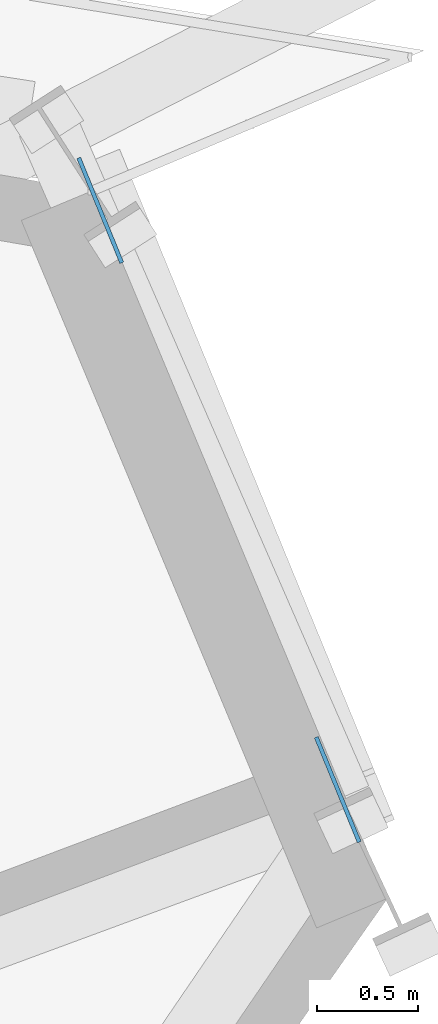
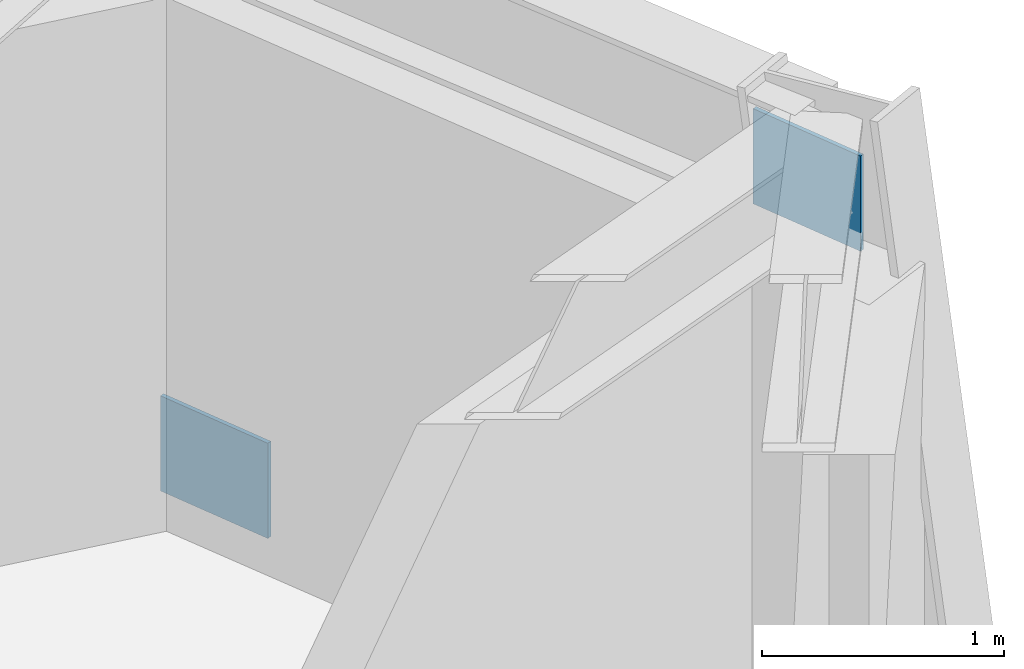
# One storey, part 10 of 16: 2 plates.
"""IFC4 building model written with IfcOpenShell, lengths in metres."""

import ifcopenshell
import ifcopenshell.guid

model = None  # the IFC model being written
_history = None  # IfcOwnerHistory: only IFC2X3 demands one
_inside = {}  # id of a spatial element -> (the spatial element, [elements in it])
_under = {}  # id of a project, library or spatial element -> (it, [spatial elements below it])
_declared = {}  # id of a project -> (the project, [libraries it declares])
_typed = {}  # id of a type object -> (the type object, [elements of that type])
_made_of = {}  # id of a material, layer set ... -> (it, [elements and type objects made of it])


def new_model(schema):
    """Start an empty IFC model of exactly this schema.

    Asked for "IFC4X3", IfcOpenShell would pick the latest addendum, in which some entities
    have other attributes; the version numbers below select the first issue.
    IFC2X3 requires an IfcOwnerHistory on every rooted entity: one is made here for all.
    """
    global model, _history
    if schema == "IFC4X3":
        model = ifcopenshell.file(schema_version=(4, 3, 0, 0))
    else:
        model = ifcopenshell.file(schema=schema)
    _inside.clear()
    _under.clear()
    _declared.clear()
    _typed.clear()
    _made_of.clear()
    _history = None
    if model.schema == "IFC2X3":
        org = make("IfcOrganization", Name="unknown")
        user = make(
            "IfcPersonAndOrganization",
            ThePerson=make("IfcPerson", FamilyName="unknown"),
            TheOrganization=org,
        )
        app = make(
            "IfcApplication",
            ApplicationDeveloper=org,
            Version="unknown",
            ApplicationFullName="unknown",
            ApplicationIdentifier="unknown",
        )
        _history = make(
            "IfcOwnerHistory",
            OwningUser=user,
            OwningApplication=app,
            ChangeAction="ADDED",
            CreationDate=0,
        )
    return model


def make(cls, **values):
    """One entity of the class cls with the attributes given. An attribute that is None is left unset."""
    return model.create_entity(
        cls, **{name: value for name, value in values.items() if value is not None}
    )


def rooted(cls, **values):
    """An entity with a GlobalId (a new one), such as an element, a storey or a relation."""
    return make(cls, GlobalId=ifcopenshell.guid.new(), OwnerHistory=_history, **values)


def si_unit(unit_type, name, prefix=None):
    """IfcSIUnit, for example si_unit("LENGTHUNIT", "METRE", prefix="MILLI")."""
    return make("IfcSIUnit", UnitType=unit_type, Prefix=prefix, Name=name)


def assignment(units):
    """IfcUnitAssignment: the units of a project."""
    return None if units is None else make("IfcUnitAssignment", Units=units)


def point(xyz):
    """IfcCartesianPoint."""
    return None if xyz is None else make("IfcCartesianPoint", Coordinates=xyz)


def direction(xyz):
    """IfcDirection."""
    return None if xyz is None else make("IfcDirection", DirectionRatios=xyz)


def frame(location, z_axis=None, x_axis=None):
    """IfcAxis2Placement3D, a coordinate frame: its origin and axes. An axis left out is left unset."""
    return make(
        "IfcAxis2Placement3D",
        Location=point(location),
        Axis=direction(z_axis),
        RefDirection=direction(x_axis),
    )


def frame_2d(location, x_axis=None):
    """IfcAxis2Placement2D, a coordinate frame in the plane: its origin and x axis."""
    return make(
        "IfcAxis2Placement2D", Location=point(location), RefDirection=direction(x_axis)
    )


def origin():
    """The frame at (0, 0, 0) with its axes left unset."""
    return frame((0.0, 0.0, 0.0))


def origin_2d():
    """The frame at (0, 0) in the plane with its x axis left unset."""
    return frame_2d((0.0, 0.0))


def place(relative_to, where):
    """IfcLocalPlacement: puts the frame where relative to a parent placement (None: the world)."""
    return make(
        "IfcLocalPlacement", PlacementRelTo=relative_to, RelativePlacement=where
    )


def context(
    kind, dimensions, precision=None, world=None, true_north=None, identifier=None
):
    """IfcGeometricRepresentationContext, for example the 3D "Model" context."""
    return make(
        "IfcGeometricRepresentationContext",
        ContextIdentifier=identifier,
        ContextType=kind,
        CoordinateSpaceDimension=dimensions,
        Precision=precision,
        WorldCoordinateSystem=world,
        TrueNorth=true_north,
    )


def subcontext(parent, identifier, kind, view, scale=None):
    """IfcGeometricRepresentationSubContext, for example "Body" below "Model"."""
    return make(
        "IfcGeometricRepresentationSubContext",
        ContextIdentifier=identifier,
        ContextType=kind,
        ParentContext=parent,
        TargetScale=scale,
        TargetView=view,
    )


def project(units=None, contexts=None):
    """IfcProject with its units and contexts."""
    return rooted(
        "IfcProject",
        Name="project",
        RepresentationContexts=contexts,
        UnitsInContext=assignment(units),
    )


def spatial(cls, under=None, at=None, **own):
    """A site, building, storey or space (cls), placed at a placement, below another one or the project."""
    s = rooted(cls, ObjectPlacement=at, **own)
    if under is not None:
        _under.setdefault(under.id(), (under, []))[1].append(s)
    return s


def profile(cls, at=None, kind="AREA", **sizes):
    """A parametric profile (cls). Its sizes go by their IFC names, for example OverallWidth=200.0."""
    return make(cls, ProfileType=kind, Position=at, **sizes)


def rectangle(**sizes):
    """IfcRectangleProfileDef."""
    return profile("IfcRectangleProfileDef", **sizes)


def extrude(swept, where, along, depth):
    """IfcExtrudedAreaSolid: the profile swept, set in the frame where, extruded along a direction by depth."""
    return make(
        "IfcExtrudedAreaSolid",
        SweptArea=swept,
        Position=where,
        ExtrudedDirection=direction(along),
        Depth=depth,
    )


def shape(context_of_items, identifier, shape_type, items):
    """IfcShapeRepresentation: the items that make up one representation, for example the "Body"."""
    return make(
        "IfcShapeRepresentation",
        ContextOfItems=context_of_items,
        RepresentationIdentifier=identifier,
        RepresentationType=shape_type,
        Items=items,
    )


def source(mapping_origin, context_of_items, identifier, shape_type, items):
    """IfcRepresentationMap: a shape defined once, which mapped items show again and again."""
    return make(
        "IfcRepresentationMap",
        MappingOrigin=mapping_origin,
        MappedRepresentation=shape(context_of_items, identifier, shape_type, items),
    )


def transform(
    local_origin,
    x_axis=None,
    y_axis=None,
    z_axis=None,
    scale=None,
    scale2=None,
    scale3=None,
    uniform=True,
):
    """IfcCartesianTransformationOperator3D, or its non-uniform kind. x_axis, y_axis, z_axis: its Axis1, 2, 3."""
    if uniform:
        return make(
            "IfcCartesianTransformationOperator3D",
            Axis1=direction(x_axis),
            Axis2=direction(y_axis),
            LocalOrigin=point(local_origin),
            Scale=scale,
            Axis3=direction(z_axis),
        )
    return make(
        "IfcCartesianTransformationOperator3DnonUniform",
        Axis1=direction(x_axis),
        Axis2=direction(y_axis),
        LocalOrigin=point(local_origin),
        Scale=scale,
        Axis3=direction(z_axis),
        Scale2=scale2,
        Scale3=scale3,
    )


def mapped(mapping_source, mapping_target):
    """IfcMappedItem: shows the shape of a source again, moved by a transform."""
    return make(
        "IfcMappedItem", MappingSource=mapping_source, MappingTarget=mapping_target
    )


def material(Name=None, Category=None):
    """IfcMaterial."""
    return make("IfcMaterial", Name=Name, Category=Category)


def made_of(thing, what):
    """Note that an element or type object is made of a material, layer set ...; save() writes the relation."""
    if what is not None:
        _made_of.setdefault(what.id(), (what, []))[1].append(thing)
    return thing


def type_object(cls, material=None, **own):
    """A type object (cls), such as IfcWallType, which elements share."""
    return made_of(rooted(cls, **own), material)


def element(
    cls,
    number,
    at=None,
    inside=None,
    cuts=None,
    type_object=None,
    material=None,
    context=None,
    identifier="Body",
    shape_type=None,
    held_by="IfcProductDefinitionShape",
    body=None,
    shapes=None,
    **own,
):
    """One element of the class cls, such as IfcWall. Its Tag is "e" and its number.

    at: its placement. inside: the storey or other place that contains it. cuts: it is an
    opening in that element (IfcRelVoidsElement). A single representation is given by context,
    identifier, shape_type and body (its items); several are given by shapes. held_by: the class
    of the entity that holds the representations. save() writes the other relations.
    """
    e = rooted(cls, Tag="e%d" % number, ObjectPlacement=at, **own)
    if body is not None:
        shapes = [shape(context, identifier, shape_type, body)]
    if shapes is not None:
        e.Representation = make(held_by, Representations=shapes)
    if inside is not None:
        _inside.setdefault(inside.id(), (inside, []))[1].append(e)
    if cuts is not None:
        rooted(
            "IfcRelVoidsElement", RelatingBuildingElement=cuts, RelatedOpeningElement=e
        )
    if type_object is not None:
        _typed.setdefault(type_object.id(), (type_object, []))[1].append(e)
    return made_of(e, material)


def aggregate(whole, parts):
    """IfcRelAggregates: a whole, such as a stair, and the parts it consists of."""
    return rooted("IfcRelAggregates", RelatingObject=whole, RelatedObjects=parts)


def save(model, path):
    """Write the relations noted so far, then the file.

    IfcRelAggregates (storeys below a building ...), IfcRelContainedInSpatialStructure (elements
    in a storey), IfcRelDefinesByType, IfcRelAssociatesMaterial and IfcRelDeclares: one each for
    every whole, place, type object, material and project.
    """
    for whole, parts in _under.values():
        aggregate(whole, parts)
    for where, things in _inside.values():
        rooted(
            "IfcRelContainedInSpatialStructure",
            RelatedElements=things,
            RelatingStructure=where,
        )
    for kind, things in _typed.values():
        rooted("IfcRelDefinesByType", RelatedObjects=things, RelatingType=kind)
    for what, things in _made_of.values():
        rooted("IfcRelAssociatesMaterial", RelatedObjects=things, RelatingMaterial=what)
    for by, libraries in _declared.values():
        rooted("IfcRelDeclares", RelatingContext=by, RelatedDefinitions=libraries)
    model.write(path)


model = new_model("IFC4")

# Units and contexts
model_context = context("Model", 3, precision=1e-05, world=origin(), true_north=direction((0.0, 1.0)))
body_context = subcontext(model_context, "Body", "Model", "MODEL_VIEW")
ifc_project = project(units=[si_unit("LENGTHUNIT", "METRE"), si_unit("AREAUNIT", "SQUARE_METRE"), si_unit("VOLUMEUNIT", "CUBIC_METRE"), si_unit("PLANEANGLEUNIT", "RADIAN"), si_unit("MASSUNIT", "GRAM", prefix="KILO")], contexts=[model_context])

# Site, building, storey
site_placement = place(None, origin())
site = spatial("IfcSite", under=ifc_project, at=site_placement, CompositionType="ELEMENT")
building_placement = place(site_placement, origin())
building = spatial("IfcBuilding", under=site, at=building_placement, Name="Olszyna Solenne Hotel", CompositionType="ELEMENT")
storey_placement = place(building_placement, frame((0.0, 0.0, 127.0)))
storey = spatial("IfcBuildingStorey", under=building, at=storey_placement, Name="L33", CompositionType="ELEMENT", Elevation=127.0)

# Plates
ifc_material = material(Name="Steel S355J2", Category="steel")
plate_type = type_object("IfcPlateType", Name="GP-ND2", PredefinedType="USERDEFINED", material=ifc_material)
shared_shape = source(origin(), body_context, "Body", "SweptSolid", [
    extrude(rectangle(XDim=0.56005859375, YDim=0.02001953125, at=origin_2d()), origin(), (0.0, 0.0, 1.0), 0.47998046875),
])
for number, where, z_axis, x_axis, name in (
    (1, (64.74462890625, 39.874755859375, -0.136474609375), (0.0, 0.0, 1.0), (0.379294674192, -0.925275931887, 0.0), "Brace end connection gusset plate GP-ND2 EP-BR-L33-1-1"),
    (2, (65.91845703125, 37.011962890625, 2.63671875), (0.0, 0.0, 1.0), (0.379294674192, -0.925275931887, 0.0), "Brace end connection gusset plate GP-ND2 EP-BR-L33-1-2"),
):
    element("IfcPlate", number, at=place(storey_placement, frame(where, z_axis=z_axis, x_axis=x_axis)), inside=storey, type_object=plate_type, Name=name, ObjectType="GUSSET_PLATE", PredefinedType="USERDEFINED", context=body_context, shape_type="MappedRepresentation", body=[
        mapped(shared_shape, transform((0.0, 0.0, 0.0), x_axis=(1.0, 0.0, 0.0), y_axis=(0.0, 1.0, 0.0), z_axis=(0.0, 0.0, 1.0), scale=1.0)),
    ])

save(model, "model.ifc")
